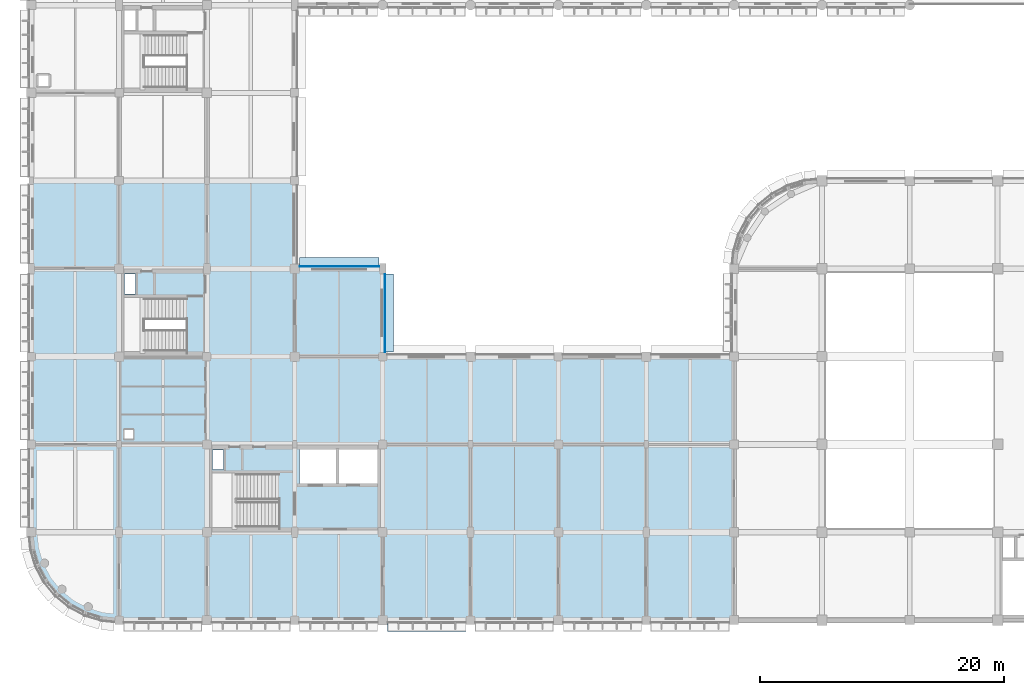
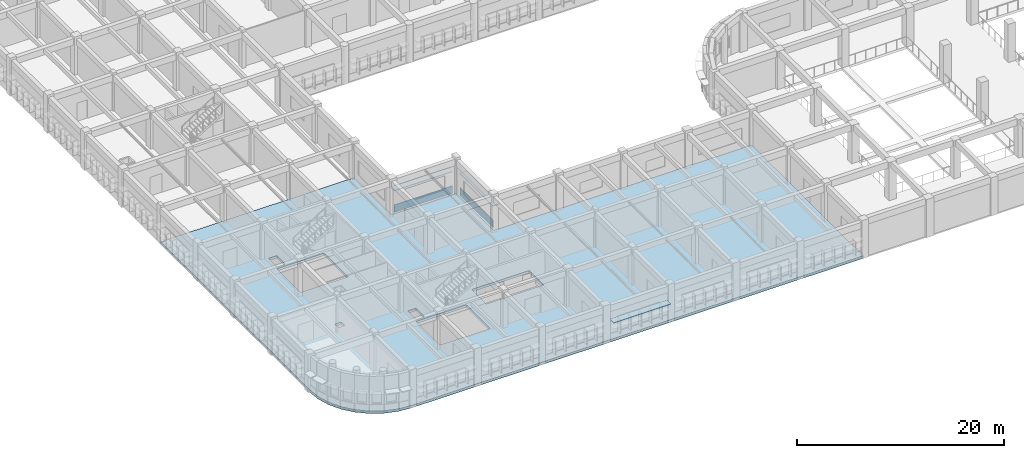
# One storey, part 16 of 61: 5 plates, 1 slab.
"""IFC4 building model written with IfcOpenShell, lengths in metres."""

from ifc_helpers import new_model, si_unit, direction, frame, origin, origin_2d, place, context, subcontext, project, spatial, polyline, rectangle, outline, extrude, material, layer, layer_set, type_object, element, save


model = new_model("IFC4")

# Units and contexts
model_context = context("Model", 3, precision=1e-05, world=origin(), true_north=direction((0.0, 1.0)))
body_context = subcontext(model_context, "Body", "Model", "MODEL_VIEW")
ifc_project = project(units=[si_unit("LENGTHUNIT", "METRE"), si_unit("AREAUNIT", "SQUARE_METRE"), si_unit("VOLUMEUNIT", "CUBIC_METRE"), si_unit("PLANEANGLEUNIT", "RADIAN"), si_unit("MASSUNIT", "GRAM", prefix="KILO")], contexts=[model_context])

# Site, building, storey
site_placement = place(None, origin())
site = spatial("IfcSite", under=ifc_project, at=site_placement, CompositionType="ELEMENT")
building_placement = place(site_placement, origin())
building = spatial("IfcBuilding", under=site, at=building_placement, Name="Thalmaran Polytechnic", CompositionType="ELEMENT")
storey_placement = place(building_placement, frame((0.0, 0.0, 9.89990234375)))
storey = spatial("IfcBuildingStorey", under=building, at=storey_placement, Name="L02", CompositionType="ELEMENT", Elevation=9.89990234375)

# Plates
ifc_material_1 = material(Name="Anodised aluminium spandrel band", Category="aluminium")
ifc_layer_1 = layer(ifc_material_1, 0.054931640625, Name="Anodised aluminium spandrel band")
ifc_layer_set_1 = layer_set([ifc_layer_1], Name="Anodised aluminium spandrel band")
plate_type_1 = type_object("IfcPlateType", Name="PT-BD01", PredefinedType="SHEET", material=ifc_layer_set_1)
plate_1_placement = place(storey_placement, frame((25.25, 28.97998046875, 0.020263671875), z_axis=(0.0, 0.0, 1.0), x_axis=(1.0, 0.0, 0.0)))
element("IfcPlate", 1, at=plate_1_placement, inside=storey, type_object=plate_type_1, Name="Streamline Horizontal Spandrel Band L02-132", PredefinedType="SHEET", context=body_context, shape_type="SweptSolid", body=[
    extrude(rectangle(XDim=6.510009765625, YDim=0.054931640625, at=origin_2d()), origin(), (0.0, 0.0, 1.0), 0.8798828125),
])
plate_2_placement = place(storey_placement, frame((28.97998046875, 25.16259765625, 0.020263671875), z_axis=(0.0, 0.0, 1.0), x_axis=(0.0, -1.0, 0.0)))
element("IfcPlate", 2, at=plate_2_placement, inside=storey, type_object=plate_type_1, Name="Streamline Horizontal Spandrel Band L02-133", PredefinedType="SHEET", context=body_context, shape_type="SweptSolid", body=[
    extrude(rectangle(XDim=6.385009765625, YDim=0.054931640625, at=origin_2d()), origin(), (0.0, 0.0, 1.0), 0.8798828125),
])
ifc_material_2 = material(Name="Anodised aluminium sun-hood eyebrow", Category="aluminium")
ifc_layer_2 = layer(ifc_material_2, 0.0849609375, Name="Anodised aluminium sun-hood eyebrow")
ifc_layer_set_2 = layer_set([ifc_layer_2], Name="Anodised aluminium sun-hood eyebrow")
plate_type_2 = type_object("IfcPlateType", Name="PT-EB01", PredefinedType="SHEET", material=ifc_layer_set_2)
plate_3_placement = place(storey_placement, frame((32.419921875, -0.5400390625, 2.517578125), z_axis=(0.0, 0.0, 1.0), x_axis=(-1.0, 0.0, 0.0)))
element("IfcPlate", 3, at=plate_3_placement, inside=storey, type_object=plate_type_2, Name="Streamline Sun-Hood Eyebrow L02-088", PredefinedType="SHEET", context=body_context, shape_type="SweptSolid", body=[
    extrude(rectangle(XDim=6.419921875, YDim=0.760009765625, at=origin_2d()), origin(), (0.0, 0.0, 1.0), 0.0849609375),
])
plate_4_placement = place(storey_placement, frame((25.25, 29.324951171875, 2.517578125), z_axis=(0.0, 0.0, 1.0), x_axis=(1.0, 0.0, 0.0)))
element("IfcPlate", 4, at=plate_4_placement, inside=storey, type_object=plate_type_2, Name="Streamline Sun-Hood Eyebrow L02-132", PredefinedType="SHEET", context=body_context, shape_type="SweptSolid", body=[
    extrude(rectangle(XDim=6.510009765625, YDim=0.760009765625, at=origin_2d()), origin(), (0.0, 0.0, 1.0), 0.0849609375),
])
plate_5_placement = place(storey_placement, frame((29.324951171875, 25.16259765625, 2.517578125), z_axis=(0.0, 0.0, 1.0), x_axis=(0.0, -1.0, 0.0)))
element("IfcPlate", 5, at=plate_5_placement, inside=storey, type_object=plate_type_2, Name="Streamline Sun-Hood Eyebrow L02-133", PredefinedType="SHEET", context=body_context, shape_type="SweptSolid", body=[
    extrude(rectangle(XDim=6.385009765625, YDim=0.760009765625, at=origin_2d()), origin(), (0.0, 0.0, 1.0), 0.0849609375),
])

# Slab
ifc_material_3 = material(Name="Concrete C40/50", Category="concrete")
ifc_layer_3 = layer(ifc_material_3, 0.2900390625, Name="Concrete C40/50")
ifc_layer_set_3 = layer_set([ifc_layer_3], Name="Concrete C40/50")
slab_type = type_object("IfcSlabType", Name="SL-FL04", PredefinedType="FLOOR", material=ifc_layer_set_3)
slab_placement = place(storey_placement, frame((0.0, 0.0, -0.289794921875)))
element("IfcSlab", 6, at=slab_placement, inside=storey, type_object=slab_type, Name="V1S L02 Structural Slab", PredefinedType="FLOOR", context=body_context, shape_type="SweptSolid", body=[
    extrude(outline(polyline([(0.0, 21.60009765625), (0.0, 28.800048828125), (0.0, 36.0), (7.199951171875, 36.0), (14.39990234375, 36.0), (21.60009765625, 36.0), (21.60009765625, 28.800048828125), (28.800048828125, 28.800048828125), (28.800048828125, 21.60009765625), (36.0, 21.60009765625), (43.199951171875, 21.60009765625), (50.39990234375, 21.60009765625), (57.60009765625, 21.60009765625), (57.60009765625, 14.39990234375), (57.60009765625, 7.199951171875), (57.60009765625, 0.0), (50.39990234375, 0.0), (43.199951171875, 0.0), (36.0, 0.0), (28.800048828125, 0.0), (21.60009765625, 0.0), (14.39990234375, 0.0), (7.199951171875, 0.0), (5.79541015625, 0.138427734375), (4.444580078125, 0.548095703125), (3.199951171875, 1.21337890625), (2.10888671875, 2.10888671875), (1.21337890625, 3.199951171875), (0.548095703125, 4.444580078125), (0.138427734375, 5.79541015625), (0.0, 7.199951171875), (0.0, 14.39990234375), (0.0, 21.60009765625)]), holes=[polyline([(28.39990234375, 11.199951171875), (28.39990234375, 14.0), (22.0, 14.0), (22.0, 11.199951171875), (28.39990234375, 11.199951171875)]), polyline([(14.64990234375, 12.0400390625), (14.64990234375, 7.449951171875), (20.280029296875, 7.449951171875), (20.280029296875, 12.0400390625), (14.64990234375, 12.0400390625)]), polyline([(15.760009765625, 13.9599609375), (14.840087890625, 13.9599609375), (14.840087890625, 12.340087890625), (15.760009765625, 12.340087890625), (15.760009765625, 13.9599609375)]), polyline([(7.449951171875, 21.85009765625), (12.719970703125, 21.85009765625), (12.719970703125, 26.43994140625), (7.449951171875, 26.43994140625), (7.449951171875, 21.85009765625)]), polyline([(7.639892578125, 28.360107421875), (7.639892578125, 26.739990234375), (8.56005859375, 26.739990234375), (8.56005859375, 28.360107421875), (7.639892578125, 28.360107421875)]), polyline([(8.35009765625, 15.580078125), (7.64990234375, 15.580078125), (7.64990234375, 14.8798828125), (8.35009765625, 14.8798828125), (8.35009765625, 15.580078125)])]), origin(), (0.0, 0.0, 1.0), 0.289794921875),
])

save(model, "model.ifc")
